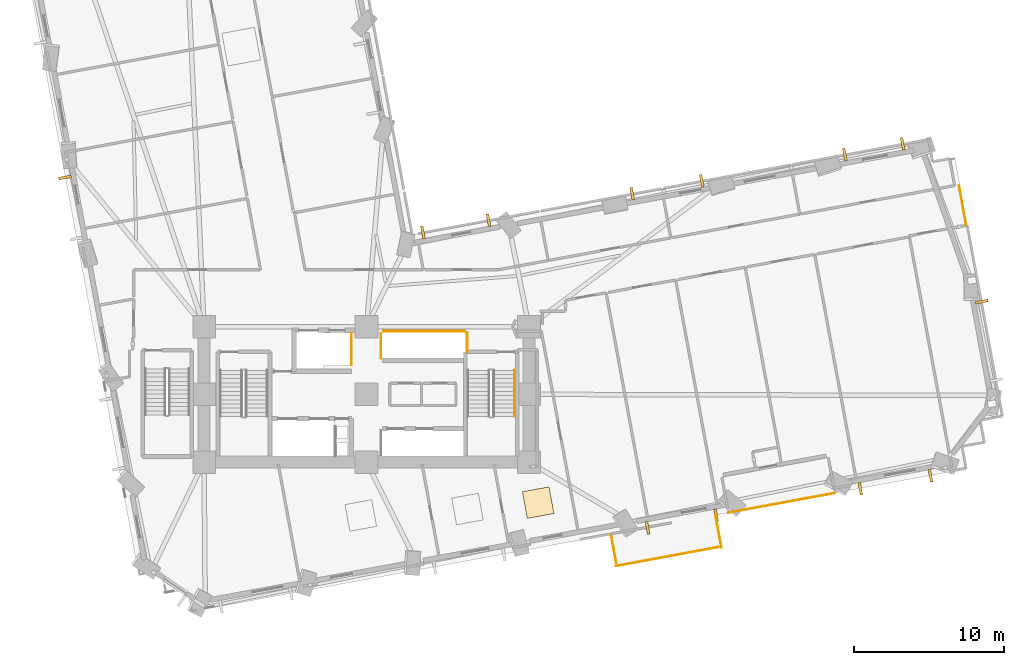
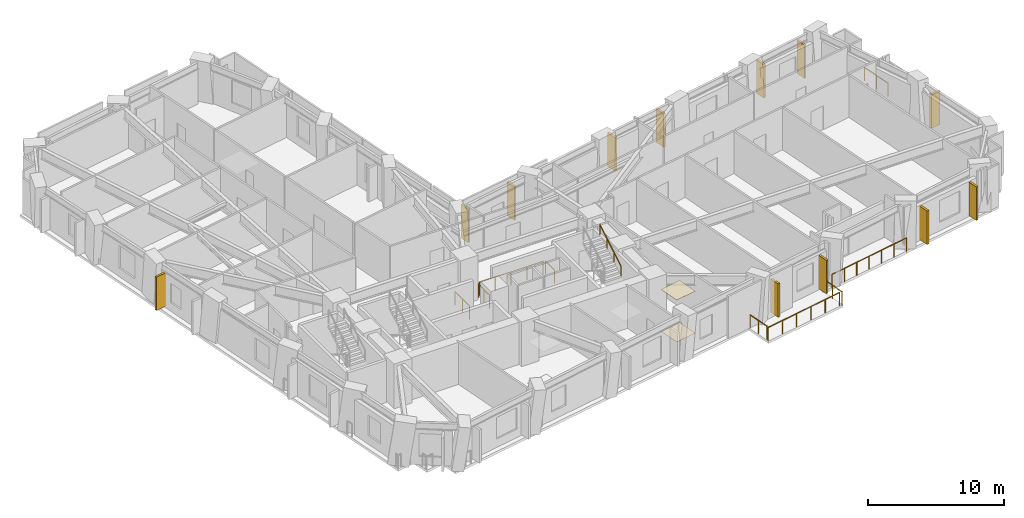
# One storey, part 13 of 16: 12 shading devices, 10 railings, 2 coverings.
"""IFC4 building model written with IfcOpenShell, lengths in metres."""

from ifc_helpers import new_model, si_unit, direction, frame, origin, origin_2d, place, context, subcontext, project, spatial, rectangle, circle, extrude, material, layer, layer_set, type_object, element, save


model = new_model("IFC4")

# Units and contexts
model_context = context("Model", 3, precision=1e-05, world=origin(), true_north=direction((0.0, 1.0)))
body_context = subcontext(model_context, "Body", "Model", "MODEL_VIEW")
ifc_project = project(units=[si_unit("LENGTHUNIT", "METRE"), si_unit("AREAUNIT", "SQUARE_METRE"), si_unit("VOLUMEUNIT", "CUBIC_METRE"), si_unit("PLANEANGLEUNIT", "RADIAN"), si_unit("MASSUNIT", "GRAM", prefix="KILO")], contexts=[model_context])

# Site, building, storey
site_placement = place(None, origin())
site = spatial("IfcSite", under=ifc_project, at=site_placement, CompositionType="ELEMENT")
building_placement = place(site_placement, origin())
building = spatial("IfcBuilding", under=site, at=building_placement, Name="Gaonmaruhae Medical Tower", CompositionType="ELEMENT")
storey_placement = place(building_placement, frame((0.0, 0.0, 67.0)))
storey = spatial("IfcBuildingStorey", under=building, at=storey_placement, Name="L15", CompositionType="ELEMENT", Elevation=67.0)

# Coverings
ifc_material_1 = material(Name="Acoustic mineral ceiling tile", Category="finish")
ifc_layer_1 = layer(ifc_material_1, 0.02490234375)
ifc_layer_set_1 = layer_set([ifc_layer_1], Name="Acoustic mineral ceiling tile")
covering_type_1 = type_object("IfcCoveringType", Name="CLG-01 Antimicrobial Acoustic Mineral Ceiling", PredefinedType="CEILING", material=ifc_layer_set_1)
covering_1_placement = place(storey_placement, frame((36.2109375, 5.102294921875, 3.755126953125), z_axis=(0.0, 0.0, 1.0), x_axis=(0.983413563645, 0.181377404435, 0.0)))
element("IfcCovering", 1, at=covering_1_placement, inside=storey, type_object=covering_type_1, Name="L15 Clinical Room Acoustic Ceiling 4", PredefinedType="CEILING", context=body_context, shape_type="SweptSolid", body=[
    extrude(rectangle(XDim=1.800048828125, YDim=1.800048828125, at=origin_2d()), origin(), (0.0, 0.0, 1.0), 0.02490234375),
])
ifc_material_2 = material(Name="Seamless clinical vinyl flooring", Category="finish")
ifc_layer_2 = layer(ifc_material_2, 0.014892578125)
ifc_layer_set_2 = layer_set([ifc_layer_2], Name="Seamless clinical vinyl flooring")
covering_type_2 = type_object("IfcCoveringType", Name="FLR-01 Seamless Clinical Antistatic Vinyl Flooring", PredefinedType="FLOORING", material=ifc_layer_set_2)
covering_2_placement = place(storey_placement, frame((36.2109375, 5.102294921875, 0.0), z_axis=(0.0, 0.0, 1.0), x_axis=(0.983413563645, 0.181377404435, 0.0)))
element("IfcCovering", 2, at=covering_2_placement, inside=storey, type_object=covering_type_2, Name="L15 Clinical Room Vinyl Flooring 4", PredefinedType="FLOORING", context=body_context, shape_type="SweptSolid", body=[
    extrude(rectangle(XDim=1.800048828125, YDim=1.800048828125, at=origin_2d()), origin(), (0.0, 0.0, 1.0), 0.014892578125),
])

# Railings
ifc_material_3 = material(Name="Stainless steel 316L and laminated safety glass", Category="steel")
ifc_layer_3 = layer(ifc_material_3, 0.080078125)
ifc_layer_set_3 = layer_set([ifc_layer_3], Name="Stainless steel 316L and laminated safety glass")
railing_type_1 = type_object("IfcRailingType", Name="GD-120 Outdoor Terrace Safety Glass & Steel Balustrade", PredefinedType="BALUSTRADE", material=ifc_layer_set_3)
railing_1_placement = place(storey_placement, frame((48.855712890625, 4.42919921875, 0.0)))
element("IfcRailing", 3, at=railing_1_placement, inside=storey, type_object=railing_type_1, Name="L15 Terrace Safety Guard RL-SLB-L15-TER-01", PredefinedType="BALUSTRADE", context=body_context, shape_type="SweptSolid", body=[
    extrude(circle(Radius=0.02392578125, at=origin_2d()), frame((0.0, 0.0, 1.17578125), z_axis=(0.98341373789, 0.181376459691, 0.0), x_axis=(-0.181376459691, 0.98341373789, 0.0)), (0.0, 0.0, 1.0), 7.199951171875),
    extrude(circle(Radius=0.02099609375, at=origin_2d()), origin(), (0.0, 0.0, 1.0), 1.15185546875),
    extrude(circle(Radius=0.02099609375, at=origin_2d()), frame((1.18017578125, 0.2177734375, 0.0)), (0.0, 0.0, 1.0), 1.15185546875),
    extrude(circle(Radius=0.02099609375, at=origin_2d()), frame((2.360107421875, 0.435302734375, 0.0)), (0.0, 0.0, 1.0), 1.15185546875),
    extrude(circle(Radius=0.02099609375, at=origin_2d()), frame((3.540283203125, 0.65283203125, 0.0)), (0.0, 0.0, 1.0), 1.15185546875),
    extrude(circle(Radius=0.02099609375, at=origin_2d()), frame((4.720458984375, 0.87060546875, 0.0)), (0.0, 0.0, 1.0), 1.15185546875),
    extrude(circle(Radius=0.02099609375, at=origin_2d()), frame((5.900390625, 1.08837890625, 0.0)), (0.0, 0.0, 1.0), 1.15185546875),
    extrude(circle(Radius=0.02099609375, at=origin_2d()), frame((7.08056640625, 1.305908203125, 0.0)), (0.0, 0.0, 1.0), 1.15185546875),
])
railing_2_placement = place(storey_placement, frame((64.185791015625, 26.186279296875, 0.0)))
element("IfcRailing", 4, at=railing_2_placement, inside=storey, type_object=railing_type_1, Name="L15 Perimeter Slab Edge Safety Balustrade 08", PredefinedType="BALUSTRADE", context=body_context, shape_type="SweptSolid", body=[
    extrude(circle(Radius=0.02392578125, at=origin_2d()), frame((0.0, 0.0, 1.17578125), z_axis=(0.181356312477, -0.983417453539, 0.0), x_axis=(0.983417453539, 0.181356312477, 0.0)), (0.0, 0.0, 1.0), 2.66015625),
    extrude(circle(Radius=0.02099609375, at=origin_2d()), origin(), (0.0, 0.0, 1.0), 1.15185546875),
    extrude(circle(Radius=0.02099609375, at=origin_2d()), frame((0.2412109375, -1.30810546875, 0.0)), (0.0, 0.0, 1.0), 1.15185546875),
    extrude(circle(Radius=0.02099609375, at=origin_2d()), frame((0.482421875, -2.615966796875, 0.0)), (0.0, 0.0, 1.0), 1.15185546875),
])
railing_3_placement = place(storey_placement, frame((48.00390625, 4.251708984375, 0.0)))
element("IfcRailing", 5, at=railing_3_placement, inside=storey, type_object=railing_type_1, Name="L15 Perimeter Slab Edge Safety Balustrade 09", PredefinedType="BALUSTRADE", context=body_context, shape_type="SweptSolid", body=[
    extrude(circle(Radius=0.02392578125, at=origin_2d()), frame((0.0, 0.0, 1.17578125), z_axis=(0.181312033514, -0.983425618185, 0.0), x_axis=(0.983425618185, 0.181312033514, 0.0)), (0.0, 0.0, 1.0), 2.159912109375),
    extrude(circle(Radius=0.02099609375, at=origin_2d()), origin(), (0.0, 0.0, 1.0), 1.15185546875),
    extrude(circle(Radius=0.02099609375, at=origin_2d()), frame((0.19580078125, -1.06201171875, 0.0)), (0.0, 0.0, 1.0), 1.15185546875),
    extrude(circle(Radius=0.02099609375, at=origin_2d()), frame((0.3916015625, -2.1240234375, 0.0)), (0.0, 0.0, 1.0), 1.15185546875),
])
railing_4_placement = place(storey_placement, frame((48.18017578125, 2.138671875, 0.0)))
element("IfcRailing", 6, at=railing_4_placement, inside=storey, type_object=railing_type_1, Name="L15 Perimeter Slab Edge Safety Balustrade 10", PredefinedType="BALUSTRADE", context=body_context, shape_type="SweptSolid", body=[
    extrude(circle(Radius=0.02392578125, at=origin_2d()), frame((0.0, 0.0, 1.17578125), z_axis=(-0.983415011743, -0.181369552788, 0.0), x_axis=(0.181369552788, -0.983415011743, 0.0)), (0.0, 0.0, 1.0), 6.900146484375),
    extrude(circle(Radius=0.02099609375, at=origin_2d()), origin(), (0.0, 0.0, 1.0), 1.15185546875),
    extrude(circle(Radius=0.02099609375, at=origin_2d()), frame((-1.357177734375, -0.250244140625, 0.0)), (0.0, 0.0, 1.0), 1.15185546875),
    extrude(circle(Radius=0.02099609375, at=origin_2d()), frame((-2.71435546875, -0.50048828125, 0.0)), (0.0, 0.0, 1.0), 1.15185546875),
    extrude(circle(Radius=0.02099609375, at=origin_2d()), frame((-4.0712890625, -0.7509765625, 0.0)), (0.0, 0.0, 1.0), 1.15185546875),
    extrude(circle(Radius=0.02099609375, at=origin_2d()), frame((-5.428466796875, -1.001220703125, 0.0)), (0.0, 0.0, 1.0), 1.15185546875),
    extrude(circle(Radius=0.02099609375, at=origin_2d()), frame((-6.78564453125, -1.25146484375, 0.0)), (0.0, 0.0, 1.0), 1.15185546875),
])
railing_5_placement = place(storey_placement, frame((41.40966796875, 1.08154296875, 0.0)))
element("IfcRailing", 7, at=railing_5_placement, inside=storey, type_object=railing_type_1, Name="L15 Perimeter Slab Edge Safety Balustrade 11", PredefinedType="BALUSTRADE", context=body_context, shape_type="SweptSolid", body=[
    extrude(circle(Radius=0.02392578125, at=origin_2d()), frame((0.0, 0.0, 1.17578125), z_axis=(-0.181434062548, 0.98340311213, 0.0), x_axis=(-0.98340311213, -0.181434062548, 0.0)), (0.0, 0.0, 1.0), 1.921630859375),
    extrude(circle(Radius=0.02099609375, at=origin_2d()), origin(), (0.0, 0.0, 1.0), 1.15185546875),
    extrude(circle(Radius=0.02099609375, at=origin_2d()), frame((-0.17431640625, 0.94482421875, 0.0)), (0.0, 0.0, 1.0), 1.15185546875),
    extrude(circle(Radius=0.02099609375, at=origin_2d()), frame((-0.3486328125, 1.8896484375, 0.0)), (0.0, 0.0, 1.0), 1.15185546875),
])
ifc_material_4 = material(Name="Stainless steel 304 handrail", Category="steel")
railing_type_2 = type_object("IfcRailingType", Name="HR-092 Continuous Stainless Steel Stair Handrail", PredefinedType="HANDRAIL", material=ifc_material_4)
railing_6_placement = place(storey_placement, frame((34.64990234375, 10.820068359375, 2.166748046875)))
element("IfcRailing", 8, at=railing_6_placement, inside=storey, type_object=railing_type_2, Name="L15 ST-02 stair handrail 2", PredefinedType="HANDRAIL", context=body_context, shape_type="SweptSolid", body=[
    extrude(circle(Radius=0.02392578125, at=origin_2d()), frame((0.0, 0.0, 0.8759765625), z_axis=(0.0, 0.859290745958, 0.51148745235), x_axis=(-1.0, 0.0, 0.0)), (0.0, 0.0, 1.0), 3.584228515625),
    extrude(circle(Radius=0.02099609375, at=origin_2d()), origin(), (0.0, 0.0, 1.0), 0.851806640625),
    extrude(circle(Radius=0.02099609375, at=origin_2d()), frame((0.0, 1.026611328125, 0.611083984375)), (0.0, 0.0, 1.0), 0.851806640625),
    extrude(circle(Radius=0.02099609375, at=origin_2d()), frame((0.0, 2.05322265625, 1.22216796875)), (0.0, 0.0, 1.0), 0.851806640625),
    extrude(circle(Radius=0.02099609375, at=origin_2d()), frame((0.0, 3.079833984375, 1.833251953125)), (0.0, 0.0, 1.0), 0.851806640625),
])

# Shading devices
ifc_material_5 = material(Name="Pigmented coral precast concrete C45/55", Category="concrete")
shading_device_type = type_object("IfcShadingDeviceType", Name="SD-FIN1 Tower Vertical Coral Precast Shading Fin", PredefinedType="USERDEFINED", material=ifc_material_5)
for number, where, z_axis, x_axis, name in (
    (9, (48.04248046875, 4.263916015625, 0.08251953125), (0.0, 0.0, 1.0), (-0.983413563645, -0.181377404435, 0.0), "L15 Vertical Coral Precast Shading Fin S05"),
    (10, (43.482177734375, 3.4228515625, 0.08251953125), (0.0, 0.0, 1.0), (-0.983413563645, -0.181377404435, 0.0), "L15 Vertical Coral Precast Shading Fin S05B"),
    (11, (62.2890625, 6.8916015625, 0.072509765625), (0.0, 0.0, 1.0), (-0.983413563645, -0.181377404435, 0.0), "L15 Vertical Coral Precast Shading Fin S07"),
    (12, (57.623046875, 6.031005859375, 0.072509765625), (0.0, 0.0, 1.0), (-0.983413563645, -0.181377404435, 0.0), "L15 Vertical Coral Precast Shading Fin S07B"),
    (13, (65.696533203125, 18.46337890625, 0.08251953125), (0.0, 0.0, 1.0), (0.181377404435, -0.983413563645, 0.0), "L15 Vertical Coral Precast Shading Fin E01"),
    (14, (56.596435546875, 28.2431640625, 0.08251953125), (0.0, 0.0, 1.0), (0.983413563645, 0.181377404435, 0.0), "L15 Vertical Coral Precast Shading Fin E03"),
    (15, (60.44091796875, 28.9521484375, 0.08251953125), (0.0, 0.0, 1.0), (0.983413563645, 0.181377404435, 0.0), "L15 Vertical Coral Precast Shading Fin E03B"),
    (16, (42.460693359375, 25.635986328125, 0.08251953125), (0.0, 0.0, 1.0), (0.983416729128, 0.181360240603, 0.0), "L15 Vertical Coral Precast Shading Fin EN02"),
    (17, (47.082275390625, 26.48828125, 0.08251953125), (0.0, 0.0, 1.0), (0.983416729128, 0.181360240603, 0.0), "L15 Vertical Coral Precast Shading Fin EN02B"),
    (18, (28.547119140625, 23.06982421875, 0.08251953125), (0.0, 0.0, 1.0), (0.983413563645, 0.181377404435, 0.0), "L15 Vertical Coral Precast Shading Fin EN04"),
    (19, (32.90966796875, 23.87451171875, 0.08251953125), (0.0, 0.0, 1.0), (0.983413563645, 0.181377404435, 0.0), "L15 Vertical Coral Precast Shading Fin EN04B"),
    (20, (4.7587890625, 26.718505859375, 0.08251953125), (0.0, 0.0, 1.0), (-0.181377404435, 0.983413563645, 0.0), "L15 Vertical Coral Precast Shading Fin W03B"),
):
    element("IfcShadingDevice", number, at=place(storey_placement, frame(where, z_axis=z_axis, x_axis=x_axis)), inside=storey, type_object=shading_device_type, Name=name, ObjectType="FIN", PredefinedType="USERDEFINED", context=body_context, shape_type="SweptSolid", body=[
        extrude(rectangle(XDim=0.179931640625, YDim=0.85009765625, at=origin_2d()), origin(), (0.0, 0.0, 1.0), 3.0),
    ])

# Railings
ifc_material_6 = material(Name="Stainless steel 304 balustrade", Category="steel")
railing_type_3 = type_object("IfcRailingType", Name="SG-112 Stair Well & Ramp Void Safety Balustrade", PredefinedType="BALUSTRADE", material=ifc_material_6)
railing_7_placement = place(storey_placement, frame((23.794921875, 16.35498046875, 0.0)))
element("IfcRailing", 21, at=railing_7_placement, inside=storey, type_object=railing_type_3, Name="L15 Shaft Edge Safety Guard 18", PredefinedType="BALUSTRADE", context=body_context, shape_type="SweptSolid", body=[
    extrude(circle(Radius=0.02392578125, at=origin_2d()), frame((0.0, 0.0, 1.17578125), z_axis=(0.0, -1.0, 0.0), x_axis=(1.0, 0.0, 0.0)), (0.0, 0.0, 1.0), 2.10986328125),
    extrude(circle(Radius=0.02099609375, at=origin_2d()), origin(), (0.0, 0.0, 1.0), 1.15185546875),
    extrude(circle(Radius=0.02099609375, at=origin_2d()), frame((0.0, -1.054931640625, 0.0)), (0.0, 0.0, 1.0), 1.15185546875),
    extrude(circle(Radius=0.02099609375, at=origin_2d()), frame((0.0, -2.10986328125, 0.0)), (0.0, 0.0, 1.0), 1.15185546875),
])
railing_8_placement = place(storey_placement, frame((31.4951171875, 16.405029296875, 0.0)))
element("IfcRailing", 22, at=railing_8_placement, inside=storey, type_object=railing_type_3, Name="L15 Shaft Edge Safety Guard 19", PredefinedType="BALUSTRADE", context=body_context, shape_type="SweptSolid", body=[
    extrude(circle(Radius=0.02392578125, at=origin_2d()), frame((0.0, 0.0, 1.17578125), z_axis=(0.0, -1.0, 0.0), x_axis=(1.0, 0.0, 0.0)), (0.0, 0.0, 1.0), 1.284912109375),
    extrude(circle(Radius=0.02099609375, at=origin_2d()), origin(), (0.0, 0.0, 1.0), 1.15185546875),
    extrude(circle(Radius=0.02099609375, at=origin_2d()), frame((0.0, -1.284912109375, 0.0)), (0.0, 0.0, 1.0), 1.15185546875),
])
railing_9_placement = place(storey_placement, frame((25.7548828125, 14.695068359375, 0.0)))
element("IfcRailing", 23, at=railing_9_placement, inside=storey, type_object=railing_type_3, Name="L15 Shaft Edge Safety Guard 20", PredefinedType="BALUSTRADE", context=body_context, shape_type="SweptSolid", body=[
    extrude(circle(Radius=0.02392578125, at=origin_2d()), frame((0.0, 0.0, 1.17578125), z_axis=(0.0, 1.0, 0.0), x_axis=(-1.0, 0.0, 0.0)), (0.0, 0.0, 1.0), 1.635009765625),
    extrude(circle(Radius=0.02099609375, at=origin_2d()), origin(), (0.0, 0.0, 1.0), 1.15185546875),
    extrude(circle(Radius=0.02099609375, at=origin_2d()), frame((0.0, 0.8173828125, 0.0)), (0.0, 0.0, 1.0), 1.15185546875),
    extrude(circle(Radius=0.02099609375, at=origin_2d()), frame((0.0, 1.635009765625, 0.0)), (0.0, 0.0, 1.0), 1.15185546875),
])
railing_10_placement = place(storey_placement, frame((25.919921875, 16.4951171875, 0.0)))
element("IfcRailing", 24, at=railing_10_placement, inside=storey, type_object=railing_type_3, Name="L15 Shaft Edge Safety Guard 21", PredefinedType="BALUSTRADE", context=body_context, shape_type="SweptSolid", body=[
    extrude(circle(Radius=0.02392578125, at=origin_2d()), frame((0.0, 0.0, 1.17578125), z_axis=(1.0, 0.0, 0.0), x_axis=(0.0, 1.0, 0.0)), (0.0, 0.0, 1.0), 5.41015625),
    extrude(circle(Radius=0.02099609375, at=origin_2d()), origin(), (0.0, 0.0, 1.0), 1.15185546875),
    extrude(circle(Radius=0.02099609375, at=origin_2d()), frame((1.3525390625, 0.0, 0.0)), (0.0, 0.0, 1.0), 1.15185546875),
    extrude(circle(Radius=0.02099609375, at=origin_2d()), frame((2.705078125, 0.0, 0.0)), (0.0, 0.0, 1.0), 1.15185546875),
    extrude(circle(Radius=0.02099609375, at=origin_2d()), frame((4.0576171875, 0.0, 0.0)), (0.0, 0.0, 1.0), 1.15185546875),
    extrude(circle(Radius=0.02099609375, at=origin_2d()), frame((5.41015625, 0.0, 0.0)), (0.0, 0.0, 1.0), 1.15185546875),
])

save(model, "model.ifc")
